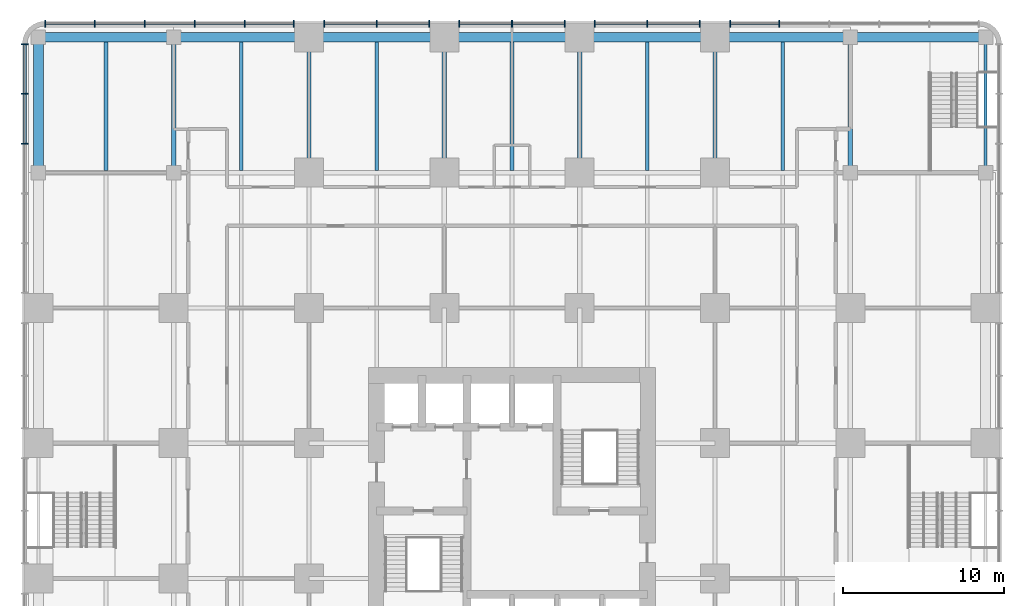
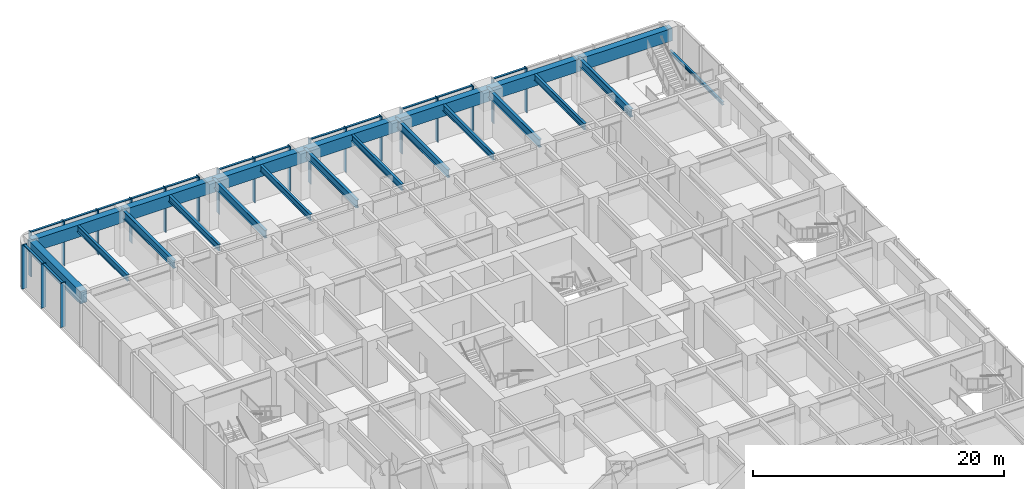
# One storey, part 7 of 20: 34 members, 21 beams, 2 elements without a shape of their own.
"""IFC4 building model written with IfcOpenShell, lengths in metres."""

from ifc_helpers import new_model, si_unit, direction, frame, origin, origin_2d, place, context, subcontext, project, spatial, rectangle, i_section, extrude, material, material_profile, profile_set, type_object, element, aggregate, save


model = new_model("IFC4")

# Units and contexts
model_context = context("Model", 3, precision=1e-05, world=origin(), true_north=direction((0.0, 1.0)))
body_context = subcontext(model_context, "Body", "Model", "MODEL_VIEW")
ifc_project = project(units=[si_unit("LENGTHUNIT", "METRE"), si_unit("AREAUNIT", "SQUARE_METRE"), si_unit("VOLUMEUNIT", "CUBIC_METRE"), si_unit("PLANEANGLEUNIT", "RADIAN"), si_unit("MASSUNIT", "GRAM", prefix="KILO")], contexts=[model_context])

# Site, building, storey
site_placement = place(None, origin())
site = spatial("IfcSite", under=ifc_project, at=site_placement, CompositionType="ELEMENT")
building_placement = place(site_placement, origin())
building = spatial("IfcBuilding", under=site, at=building_placement, Name="Torre Alcanfor", CompositionType="ELEMENT")
storey_placement = place(building_placement, frame((0.0, 0.0, 10.5)))
storey = spatial("IfcBuildingStorey", under=building, at=storey_placement, Name="L02", CompositionType="ELEMENT", Elevation=10.5)

# Curtain wall, members
ifc_material_1 = material(Name="Aluminium and glass", Category="aluminium")
curtain_wall_type = type_object("IfcCurtainWallType", Name="CW-B unitised classroom glazing with vertical FIN", PredefinedType="NOTDEFINED", material=ifc_material_1)
curtain_wall_1_placement = place(storey_placement, origin())
curtain_wall_1 = element("IfcCurtainWall", 1, at=curtain_wall_1_placement, inside=storey, type_object=curtain_wall_type, Name="Curtain wall CW-B L02 2", PredefinedType="NOTDEFINED")
ifc_material_2 = material(Name="Bronze anodised aluminium", Category="aluminium")
ifc_material_profile_1 = material_profile(ifc_material_2, rectangle(XDim=0.449951171875, YDim=0.06494140625, at=origin_2d()), Name="CW-B mullion 65x450")
ifc_profile_set_1 = profile_set([ifc_material_profile_1], Name="Bronze anodised aluminium")
member_type_1 = type_object("IfcMemberType", Name="CW-B mullion with vertical FIN 65x450", PredefinedType="MULLION", material=ifc_profile_set_1)
member_1_placement = place(storey_placement, frame((46.00390625, 59.64990234375, 0.0), z_axis=(0.0, 0.0, 1.0), x_axis=(0.0, -1.0, 0.0)))
member_1 = element("IfcMember", 2, at=member_1_placement, type_object=member_type_1, Name="CW-B mullion 1.5", PredefinedType="MULLION", context=body_context, shape_type="SweptSolid", body=[
    extrude(rectangle(XDim=0.449951171875, YDim=0.06494140625, at=origin_2d()), origin(), (0.0, 0.0, 1.0), 4.300048828125),
])
member_2_placement = place(storey_placement, frame((42.9375, 59.64990234375, 0.0), z_axis=(0.0, 0.0, 1.0), x_axis=(0.0, -1.0, 0.0)))
member_2 = element("IfcMember", 3, at=member_2_placement, type_object=member_type_1, Name="CW-B mullion 1.6", PredefinedType="MULLION", context=body_context, shape_type="SweptSolid", body=[
    extrude(rectangle(XDim=0.449951171875, YDim=0.06494140625, at=origin_2d()), origin(), (0.0, 0.0, 1.0), 4.300048828125),
])
member_3_placement = place(storey_placement, frame((41.0625, 59.64990234375, 0.0), z_axis=(0.0, 0.0, 1.0), x_axis=(0.0, -1.0, 0.0)))
member_3 = element("IfcMember", 4, at=member_3_placement, type_object=member_type_1, Name="CW-B mullion 2.1", PredefinedType="MULLION", context=body_context, shape_type="SweptSolid", body=[
    extrude(rectangle(XDim=0.449951171875, YDim=0.06494140625, at=origin_2d()), origin(), (0.0, 0.0, 1.0), 4.300048828125),
])
member_4_placement = place(storey_placement, frame((37.800048828125, 59.64990234375, 0.0), z_axis=(0.0, 0.0, 1.0), x_axis=(0.0, -1.0, 0.0)))
member_4 = element("IfcMember", 5, at=member_4_placement, type_object=member_type_1, Name="CW-B mullion 2.2", PredefinedType="MULLION", context=body_context, shape_type="SweptSolid", body=[
    extrude(rectangle(XDim=0.449951171875, YDim=0.06494140625, at=origin_2d()), origin(), (0.0, 0.0, 1.0), 4.300048828125),
])
member_5_placement = place(storey_placement, frame((34.53759765625, 59.64990234375, 0.0), z_axis=(0.0, 0.0, 1.0), x_axis=(0.0, -1.0, 0.0)))
member_5 = element("IfcMember", 6, at=member_5_placement, type_object=member_type_1, Name="CW-B mullion 2.3", PredefinedType="MULLION", context=body_context, shape_type="SweptSolid", body=[
    extrude(rectangle(XDim=0.449951171875, YDim=0.06494140625, at=origin_2d()), origin(), (0.0, 0.0, 1.0), 4.300048828125),
])
member_6_placement = place(storey_placement, frame((32.66259765625, 59.64990234375, 0.0), z_axis=(0.0, 0.0, 1.0), x_axis=(0.0, -1.0, 0.0)))
member_6 = element("IfcMember", 7, at=member_6_placement, type_object=member_type_1, Name="CW-B mullion 3.1", PredefinedType="MULLION", context=body_context, shape_type="SweptSolid", body=[
    extrude(rectangle(XDim=0.449951171875, YDim=0.06494140625, at=origin_2d()), origin(), (0.0, 0.0, 1.0), 4.300048828125),
])
member_7_placement = place(storey_placement, frame((29.39990234375, 59.64990234375, 0.0), z_axis=(0.0, 0.0, 1.0), x_axis=(0.0, -1.0, 0.0)))
member_7 = element("IfcMember", 8, at=member_7_placement, type_object=member_type_1, Name="CW-B mullion 3.2", PredefinedType="MULLION", context=body_context, shape_type="SweptSolid", body=[
    extrude(rectangle(XDim=0.449951171875, YDim=0.06494140625, at=origin_2d()), origin(), (0.0, 0.0, 1.0), 4.300048828125),
])
member_8_placement = place(storey_placement, frame((26.137451171875, 59.64990234375, 0.0), z_axis=(0.0, 0.0, 1.0), x_axis=(0.0, -1.0, 0.0)))
member_8 = element("IfcMember", 9, at=member_8_placement, type_object=member_type_1, Name="CW-B mullion 3.3", PredefinedType="MULLION", context=body_context, shape_type="SweptSolid", body=[
    extrude(rectangle(XDim=0.449951171875, YDim=0.06494140625, at=origin_2d()), origin(), (0.0, 0.0, 1.0), 4.300048828125),
])
member_9_placement = place(storey_placement, frame((24.262451171875, 59.64990234375, 0.0), z_axis=(0.0, 0.0, 1.0), x_axis=(0.0, -1.0, 0.0)))
member_9 = element("IfcMember", 10, at=member_9_placement, type_object=member_type_1, Name="CW-B mullion 4.1", PredefinedType="MULLION", context=body_context, shape_type="SweptSolid", body=[
    extrude(rectangle(XDim=0.449951171875, YDim=0.06494140625, at=origin_2d()), origin(), (0.0, 0.0, 1.0), 4.300048828125),
])
member_10_placement = place(storey_placement, frame((21.0, 59.64990234375, 0.0), z_axis=(0.0, 0.0, 1.0), x_axis=(0.0, -1.0, 0.0)))
member_10 = element("IfcMember", 11, at=member_10_placement, type_object=member_type_1, Name="CW-B mullion 4.2", PredefinedType="MULLION", context=body_context, shape_type="SweptSolid", body=[
    extrude(rectangle(XDim=0.449951171875, YDim=0.06494140625, at=origin_2d()), origin(), (0.0, 0.0, 1.0), 4.300048828125),
])
member_11_placement = place(storey_placement, frame((17.737548828125, 59.64990234375, 0.0), z_axis=(0.0, 0.0, 1.0), x_axis=(0.0, -1.0, 0.0)))
member_11 = element("IfcMember", 12, at=member_11_placement, type_object=member_type_1, Name="CW-B mullion 4.3", PredefinedType="MULLION", context=body_context, shape_type="SweptSolid", body=[
    extrude(rectangle(XDim=0.449951171875, YDim=0.06494140625, at=origin_2d()), origin(), (0.0, 0.0, 1.0), 4.300048828125),
])
member_12_placement = place(storey_placement, frame((15.862548828125, 59.64990234375, 0.0), z_axis=(0.0, 0.0, 1.0), x_axis=(0.0, -1.0, 0.0)))
member_12 = element("IfcMember", 13, at=member_12_placement, type_object=member_type_1, Name="CW-B mullion 5.1", PredefinedType="MULLION", context=body_context, shape_type="SweptSolid", body=[
    extrude(rectangle(XDim=0.449951171875, YDim=0.06494140625, at=origin_2d()), origin(), (0.0, 0.0, 1.0), 4.300048828125),
])
member_13_placement = place(storey_placement, frame((12.7958984375, 59.64990234375, 0.0), z_axis=(0.0, 0.0, 1.0), x_axis=(0.0, -1.0, 0.0)))
member_13 = element("IfcMember", 14, at=member_13_placement, type_object=member_type_1, Name="CW-B mullion 5.2", PredefinedType="MULLION", context=body_context, shape_type="SweptSolid", body=[
    extrude(rectangle(XDim=0.449951171875, YDim=0.06494140625, at=origin_2d()), origin(), (0.0, 0.0, 1.0), 4.300048828125),
])
member_14_placement = place(storey_placement, frame((9.697021484375, 59.64990234375, 0.0), z_axis=(0.0, 0.0, 1.0), x_axis=(0.0, -1.0, 0.0)))
member_14 = element("IfcMember", 15, at=member_14_placement, type_object=member_type_1, Name="CW-B mullion 5.3", PredefinedType="MULLION", context=body_context, shape_type="SweptSolid", body=[
    extrude(rectangle(XDim=0.449951171875, YDim=0.06494140625, at=origin_2d()), origin(), (0.0, 0.0, 1.0), 4.300048828125),
])
member_15_placement = place(storey_placement, frame((6.597900390625, 59.64990234375, 0.0), z_axis=(0.0, 0.0, 1.0), x_axis=(0.0, -1.0, 0.0)))
member_15 = element("IfcMember", 16, at=member_15_placement, type_object=member_type_1, Name="CW-B mullion 5.4", PredefinedType="MULLION", context=body_context, shape_type="SweptSolid", body=[
    extrude(rectangle(XDim=0.449951171875, YDim=0.06494140625, at=origin_2d()), origin(), (0.0, 0.0, 1.0), 4.300048828125),
])
member_16_placement = place(storey_placement, frame((3.4990234375, 59.64990234375, 0.0), z_axis=(0.0, 0.0, 1.0), x_axis=(0.0, -1.0, 0.0)))
member_16 = element("IfcMember", 17, at=member_16_placement, type_object=member_type_1, Name="CW-B mullion 5.5", PredefinedType="MULLION", context=body_context, shape_type="SweptSolid", body=[
    extrude(rectangle(XDim=0.449951171875, YDim=0.06494140625, at=origin_2d()), origin(), (0.0, 0.0, 1.0), 4.300048828125),
])
member_17_placement = place(storey_placement, frame((0.4326171875, 59.64990234375, 0.0), z_axis=(0.0, 0.0, 1.0), x_axis=(0.0, -1.0, 0.0)))
member_17 = element("IfcMember", 18, at=member_17_placement, type_object=member_type_1, Name="CW-B mullion 5.6", PredefinedType="MULLION", context=body_context, shape_type="SweptSolid", body=[
    extrude(rectangle(XDim=0.449951171875, YDim=0.06494140625, at=origin_2d()), origin(), (0.0, 0.0, 1.0), 4.300048828125),
])

curtain_wall_2_placement = place(storey_placement, origin())
curtain_wall_2 = element("IfcCurtainWall", 19, at=curtain_wall_2_placement, inside=storey, type_object=curtain_wall_type, Name="Curtain wall CW-B L02 3", PredefinedType="NOTDEFINED")
member_18_placement = place(storey_placement, frame((-0.85009765625, 58.367431640625, 0.0), z_axis=(0.0, 0.0, 1.0), x_axis=(1.0, 0.0, 0.0)))
member_18 = element("IfcMember", 20, at=member_18_placement, type_object=member_type_1, Name="CW-B mullion 1.1", PredefinedType="MULLION", context=body_context, shape_type="SweptSolid", body=[
    extrude(rectangle(XDim=0.449951171875, YDim=0.06494140625, at=origin_2d()), origin(), (0.0, 0.0, 1.0), 4.300048828125),
])
member_19_placement = place(storey_placement, frame((-0.85009765625, 55.301025390625, 0.0), z_axis=(0.0, 0.0, 1.0), x_axis=(1.0, 0.0, 0.0)))
member_19 = element("IfcMember", 21, at=member_19_placement, type_object=member_type_1, Name="CW-B mullion 1.2", PredefinedType="MULLION", context=body_context, shape_type="SweptSolid", body=[
    extrude(rectangle(XDim=0.449951171875, YDim=0.06494140625, at=origin_2d()), origin(), (0.0, 0.0, 1.0), 4.300048828125),
])
member_20_placement = place(storey_placement, frame((-0.85009765625, 52.201904296875, 0.0), z_axis=(0.0, 0.0, 1.0), x_axis=(1.0, 0.0, 0.0)))
member_20 = element("IfcMember", 22, at=member_20_placement, type_object=member_type_1, Name="CW-B mullion 1.3", PredefinedType="MULLION", context=body_context, shape_type="SweptSolid", body=[
    extrude(rectangle(XDim=0.449951171875, YDim=0.06494140625, at=origin_2d()), origin(), (0.0, 0.0, 1.0), 4.300048828125),
])

# Member
ifc_material_3 = material(Name="Extruded aluminium", Category="aluminium")
ifc_material_profile_2 = material_profile(ifc_material_3, rectangle(XDim=0.199951171875, YDim=0.06494140625, at=origin_2d()), Name="CW-B transom 200x65")
ifc_profile_set_2 = profile_set([ifc_material_profile_2], Name="Extruded aluminium")
member_type_2 = type_object("IfcMemberType", Name="CW-B transom 65x200", PredefinedType="USERDEFINED", material=ifc_profile_set_2)
member_21_placement = place(storey_placement, frame((45.971435546875, 59.64990234375, 4.267578125), z_axis=(-1.0, 0.0, 0.0), x_axis=(0.0, -1.0, 0.0)))
member_21 = element("IfcMember", 23, at=member_21_placement, type_object=member_type_2, Name="CW-B transom 1.5.2", ObjectType="TRANSOM", PredefinedType="USERDEFINED", context=body_context, shape_type="SweptSolid", body=[
    extrude(rectangle(XDim=0.199951171875, YDim=0.06494140625, at=origin_2d()), origin(), (0.0, 0.0, 1.0), 3.00146484375),
])

member_22_placement = place(storey_placement, frame((41.030029296875, 59.64990234375, 4.267578125), z_axis=(-1.0, 0.0, 0.0), x_axis=(0.0, -1.0, 0.0)))
member_22 = element("IfcMember", 24, at=member_22_placement, type_object=member_type_2, Name="CW-B transom 2.1.2", ObjectType="TRANSOM", PredefinedType="USERDEFINED", context=body_context, shape_type="SweptSolid", body=[
    extrude(rectangle(XDim=0.199951171875, YDim=0.06494140625, at=origin_2d()), origin(), (0.0, 0.0, 1.0), 3.197509765625),
])

member_23_placement = place(storey_placement, frame((37.767578125, 59.64990234375, 4.267578125), z_axis=(-1.0, 0.0, 0.0), x_axis=(0.0, -1.0, 0.0)))
member_23 = element("IfcMember", 25, at=member_23_placement, type_object=member_type_2, Name="CW-B transom 2.2.2", ObjectType="TRANSOM", PredefinedType="USERDEFINED", context=body_context, shape_type="SweptSolid", body=[
    extrude(rectangle(XDim=0.199951171875, YDim=0.06494140625, at=origin_2d()), origin(), (0.0, 0.0, 1.0), 3.197509765625),
])

member_24_placement = place(storey_placement, frame((32.6298828125, 59.64990234375, 4.267578125), z_axis=(-1.0, 0.0, 0.0), x_axis=(0.0, -1.0, 0.0)))
member_24 = element("IfcMember", 26, at=member_24_placement, type_object=member_type_2, Name="CW-B transom 3.1.2", ObjectType="TRANSOM", PredefinedType="USERDEFINED", context=body_context, shape_type="SweptSolid", body=[
    extrude(rectangle(XDim=0.199951171875, YDim=0.06494140625, at=origin_2d()), origin(), (0.0, 0.0, 1.0), 3.197265625),
])

member_25_placement = place(storey_placement, frame((29.367431640625, 59.64990234375, 4.267578125), z_axis=(-1.0, 0.0, 0.0), x_axis=(0.0, -1.0, 0.0)))
member_25 = element("IfcMember", 27, at=member_25_placement, type_object=member_type_2, Name="CW-B transom 3.2.2", ObjectType="TRANSOM", PredefinedType="USERDEFINED", context=body_context, shape_type="SweptSolid", body=[
    extrude(rectangle(XDim=0.199951171875, YDim=0.06494140625, at=origin_2d()), origin(), (0.0, 0.0, 1.0), 3.197509765625),
])

member_26_placement = place(storey_placement, frame((24.22998046875, 59.64990234375, 4.267578125), z_axis=(-1.0, 0.0, 0.0), x_axis=(0.0, -1.0, 0.0)))
member_26 = element("IfcMember", 28, at=member_26_placement, type_object=member_type_2, Name="CW-B transom 4.1.2", ObjectType="TRANSOM", PredefinedType="USERDEFINED", context=body_context, shape_type="SweptSolid", body=[
    extrude(rectangle(XDim=0.199951171875, YDim=0.06494140625, at=origin_2d()), origin(), (0.0, 0.0, 1.0), 3.197509765625),
])

member_27_placement = place(storey_placement, frame((20.967529296875, 59.64990234375, 4.267578125), z_axis=(-1.0, 0.0, 0.0), x_axis=(0.0, -1.0, 0.0)))
member_27 = element("IfcMember", 29, at=member_27_placement, type_object=member_type_2, Name="CW-B transom 4.2.2", ObjectType="TRANSOM", PredefinedType="USERDEFINED", context=body_context, shape_type="SweptSolid", body=[
    extrude(rectangle(XDim=0.199951171875, YDim=0.06494140625, at=origin_2d()), origin(), (0.0, 0.0, 1.0), 3.197509765625),
])

member_28_placement = place(storey_placement, frame((15.830078125, 59.64990234375, 4.267578125), z_axis=(-1.0, 0.0, 0.0), x_axis=(0.0, -1.0, 0.0)))
member_28 = element("IfcMember", 30, at=member_28_placement, type_object=member_type_2, Name="CW-B transom 5.1.2", ObjectType="TRANSOM", PredefinedType="USERDEFINED", context=body_context, shape_type="SweptSolid", body=[
    extrude(rectangle(XDim=0.199951171875, YDim=0.06494140625, at=origin_2d()), origin(), (0.0, 0.0, 1.0), 3.00146484375),
])

member_29_placement = place(storey_placement, frame((12.763427734375, 59.64990234375, 4.267578125), z_axis=(-1.0, 0.0, 0.0), x_axis=(0.0, -1.0, 0.0)))
member_29 = element("IfcMember", 31, at=member_29_placement, type_object=member_type_2, Name="CW-B transom 5.2.2", ObjectType="TRANSOM", PredefinedType="USERDEFINED", context=body_context, shape_type="SweptSolid", body=[
    extrude(rectangle(XDim=0.199951171875, YDim=0.06494140625, at=origin_2d()), origin(), (0.0, 0.0, 1.0), 3.033935546875),
])

member_30_placement = place(storey_placement, frame((9.66455078125, 59.64990234375, 4.267578125), z_axis=(-1.0, 0.0, 0.0), x_axis=(0.0, -1.0, 0.0)))
member_30 = element("IfcMember", 32, at=member_30_placement, type_object=member_type_2, Name="CW-B transom 5.3.2", ObjectType="TRANSOM", PredefinedType="USERDEFINED", context=body_context, shape_type="SweptSolid", body=[
    extrude(rectangle(XDim=0.199951171875, YDim=0.06494140625, at=origin_2d()), origin(), (0.0, 0.0, 1.0), 3.033935546875),
])

member_31_placement = place(storey_placement, frame((6.5654296875, 59.64990234375, 4.267578125), z_axis=(-1.0, 0.0, 0.0), x_axis=(0.0, -1.0, 0.0)))
member_31 = element("IfcMember", 33, at=member_31_placement, type_object=member_type_2, Name="CW-B transom 5.4.2", ObjectType="TRANSOM", PredefinedType="USERDEFINED", context=body_context, shape_type="SweptSolid", body=[
    extrude(rectangle(XDim=0.199951171875, YDim=0.06494140625, at=origin_2d()), origin(), (0.0, 0.0, 1.0), 3.033935546875),
])

member_32_placement = place(storey_placement, frame((3.466552734375, 59.64990234375, 4.267578125), z_axis=(-1.0, 0.0, 0.0), x_axis=(0.0, -1.0, 0.0)))
member_32 = element("IfcMember", 34, at=member_32_placement, type_object=member_type_2, Name="CW-B transom 5.5.2", ObjectType="TRANSOM", PredefinedType="USERDEFINED", context=body_context, shape_type="SweptSolid", body=[
    extrude(rectangle(XDim=0.199951171875, YDim=0.06494140625, at=origin_2d()), origin(), (0.0, 0.0, 1.0), 3.00146484375),
])

aggregate(curtain_wall_1, [member_1, member_2, member_21, member_3, member_4, member_5, member_22, member_23, member_6, member_7, member_8, member_24, member_25, member_9, member_10, member_11, member_26, member_27, member_12, member_13, member_14, member_15, member_16, member_17, member_28, member_29, member_30, member_31, member_32])

member_33_placement = place(storey_placement, frame((-0.85009765625, 58.3349609375, 4.267578125), z_axis=(0.0, -1.0, 0.0), x_axis=(1.0, 0.0, 0.0)))
member_33 = element("IfcMember", 35, at=member_33_placement, type_object=member_type_2, Name="CW-B transom 1.1.2", ObjectType="TRANSOM", PredefinedType="USERDEFINED", context=body_context, shape_type="SweptSolid", body=[
    extrude(rectangle(XDim=0.199951171875, YDim=0.06494140625, at=origin_2d()), origin(), (0.0, 0.0, 1.0), 3.00146484375),
])

member_34_placement = place(storey_placement, frame((-0.85009765625, 55.2685546875, 4.267578125), z_axis=(0.0, -1.0, 0.0), x_axis=(1.0, 0.0, 0.0)))
member_34 = element("IfcMember", 36, at=member_34_placement, type_object=member_type_2, Name="CW-B transom 1.2.2", ObjectType="TRANSOM", PredefinedType="USERDEFINED", context=body_context, shape_type="SweptSolid", body=[
    extrude(rectangle(XDim=0.199951171875, YDim=0.06494140625, at=origin_2d()), origin(), (0.0, 0.0, 1.0), 3.033935546875),
])

aggregate(curtain_wall_2, [member_18, member_19, member_20, member_33, member_34])

# Beams
ifc_material_4 = material(Name="Steel ASTM A992 Grade 50", Category="steel")
ifc_material_profile_3 = material_profile(ifc_material_4, i_section(OverallWidth=0.2666015625, OverallDepth=0.7568359375, WebThickness=0.013916015625, FlangeThickness=0.019287109375, at=origin_2d()), Name="W30x108")
ifc_profile_set_3 = profile_set([ifc_material_profile_3], Name="Steel ASTM A992 Grade 50")
beam_type_1 = type_object("IfcBeamType", Name="Girder W30x108", PredefinedType="BEAM", material=ifc_profile_set_3)
for number, where, z_axis, x_axis, name in (
    (37, (8.39990234375, 50.39990234375, 3.921630859375), (0.0, 1.0, 0.0), (-1.0, 0.0, 0.0), "Beam 2J-2K under L03"),
    (38, (16.800048828125, 50.39990234375, 3.921630859375), (0.0, 1.0, 0.0), (-1.0, 0.0, 0.0), "Beam 3J-3K under L03"),
    (39, (25.199951171875, 50.39990234375, 3.921630859375), (0.0, 1.0, 0.0), (-1.0, 0.0, 0.0), "Beam 4J-4K under L03"),
    (40, (33.60009765625, 50.39990234375, 3.921630859375), (0.0, 1.0, 0.0), (-1.0, 0.0, 0.0), "Beam 5J-5K under L03"),
    (41, (42.0, 50.39990234375, 3.921630859375), (0.0, 1.0, 0.0), (-1.0, 0.0, 0.0), "Beam 6J-6K under L03"),
    (42, (50.39990234375, 50.39990234375, 3.921630859375), (0.0, 1.0, 0.0), (-1.0, 0.0, 0.0), "Beam 7J-7K under L03"),
):
    element("IfcBeam", number, at=place(storey_placement, frame(where, z_axis=z_axis, x_axis=x_axis)), inside=storey, type_object=beam_type_1, Name=name, PredefinedType="BEAM", context=body_context, shape_type="SweptSolid", body=[
        extrude(i_section(OverallWidth=0.2666015625, OverallDepth=0.7568359375, WebThickness=0.013916015625, FlangeThickness=0.019287109375, at=origin_2d()), origin(), (0.0, 0.0, 1.0), 8.400146484375),
    ])
ifc_material_5 = material(Name="Concrete f'c 70 MPa", Category="concrete")
ifc_material_profile_4 = material_profile(ifc_material_5, rectangle(XDim=0.60009765625, YDim=1.199951171875, at=origin_2d()), Name="600x1200")
ifc_profile_set_4 = profile_set([ifc_material_profile_4], Name="Concrete f'c 70 MPa")
beam_type_2 = type_object("IfcBeamType", Name="RC perimeter beam 600x1200", PredefinedType="BEAM", material=ifc_profile_set_4)
beam_1_placement = place(storey_placement, frame((0.0, 58.800048828125, 3.699951171875), z_axis=(1.0, 0.0, 0.0), x_axis=(0.0, 1.0, 0.0)))
element("IfcBeam", 43, at=beam_1_placement, inside=storey, type_object=beam_type_2, Name="Beam 1K-2K under L03", PredefinedType="BEAM", context=body_context, shape_type="SweptSolid", body=[
    extrude(rectangle(XDim=0.60009765625, YDim=1.199951171875, at=origin_2d()), origin(), (0.0, 0.0, 1.0), 8.39990234375),
])
beam_2_placement = place(storey_placement, frame((8.39990234375, 58.800048828125, 3.699951171875), z_axis=(1.0, 0.0, 0.0), x_axis=(0.0, 1.0, 0.0)))
element("IfcBeam", 44, at=beam_2_placement, inside=storey, type_object=beam_type_2, Name="Beam 2K-3K under L03", PredefinedType="BEAM", context=body_context, shape_type="SweptSolid", body=[
    extrude(rectangle(XDim=0.60009765625, YDim=1.199951171875, at=origin_2d()), origin(), (0.0, 0.0, 1.0), 8.400146484375),
])
beam_3_placement = place(storey_placement, frame((16.800048828125, 58.800048828125, 3.699951171875), z_axis=(1.0, 0.0, 0.0), x_axis=(0.0, 1.0, 0.0)))
element("IfcBeam", 45, at=beam_3_placement, inside=storey, type_object=beam_type_2, Name="Beam 3K-4K under L03", PredefinedType="BEAM", context=body_context, shape_type="SweptSolid", body=[
    extrude(rectangle(XDim=0.60009765625, YDim=1.199951171875, at=origin_2d()), origin(), (0.0, 0.0, 1.0), 8.39990234375),
])
beam_4_placement = place(storey_placement, frame((25.199951171875, 58.800048828125, 3.699951171875), z_axis=(1.0, 0.0, 0.0), x_axis=(0.0, 1.0, 0.0)))
element("IfcBeam", 46, at=beam_4_placement, inside=storey, type_object=beam_type_2, Name="Beam 4K-5K under L03", PredefinedType="BEAM", context=body_context, shape_type="SweptSolid", body=[
    extrude(rectangle(XDim=0.60009765625, YDim=1.199951171875, at=origin_2d()), origin(), (0.0, 0.0, 1.0), 8.400146484375),
])
for number, where, z_axis, x_axis, name in (
    (47, (33.60009765625, 58.800048828125, 3.699951171875), (1.0, 0.0, 0.0), (0.0, 1.0, 0.0), "Beam 5K-6K under L03"),
    (48, (42.0, 58.800048828125, 3.699951171875), (1.0, 0.0, 0.0), (0.0, 1.0, 0.0), "Beam 6K-7K under L03"),
):
    element("IfcBeam", number, at=place(storey_placement, frame(where, z_axis=z_axis, x_axis=x_axis)), inside=storey, type_object=beam_type_2, Name=name, PredefinedType="BEAM", context=body_context, shape_type="SweptSolid", body=[
        extrude(rectangle(XDim=0.60009765625, YDim=1.199951171875, at=origin_2d()), origin(), (0.0, 0.0, 1.0), 8.39990234375),
    ])
for number, where, z_axis, x_axis, name in (
    (49, (50.39990234375, 58.800048828125, 3.699951171875), (1.0, 0.0, 0.0), (0.0, 1.0, 0.0), "Beam 7K-8K under L03"),
    (50, (0.0, 50.39990234375, 3.699951171875), (0.0, 1.0, 0.0), (-1.0, 0.0, 0.0), "Beam 1J-1K under L03"),
):
    element("IfcBeam", number, at=place(storey_placement, frame(where, z_axis=z_axis, x_axis=x_axis)), inside=storey, type_object=beam_type_2, Name=name, PredefinedType="BEAM", context=body_context, shape_type="SweptSolid", body=[
        extrude(rectangle(XDim=0.60009765625, YDim=1.199951171875, at=origin_2d()), origin(), (0.0, 0.0, 1.0), 8.400146484375),
    ])
ifc_material_6 = material(Name="Steel ASTM A992 Grade 50", Category="steel")
ifc_material_profile_5 = material_profile(ifc_material_6, i_section(OverallWidth=0.203369140625, OverallDepth=0.30224609375, WebThickness=0.007568359375, FlangeThickness=0.01318359375, at=origin_2d()), Name="W12x40")
ifc_profile_set_5 = profile_set([ifc_material_profile_5], Name="Steel ASTM A992 Grade 50")
beam_type_3 = type_object("IfcBeamType", Name="School stair landing beam W12x40", PredefinedType="BEAM", material=ifc_profile_set_5)
beam_5_placement = place(storey_placement, frame((58.800048828125, 50.39990234375, 1.89892578125), z_axis=(0.0, 1.0, 0.0), x_axis=(-1.0, 0.0, 0.0)))
element("IfcBeam", 51, at=beam_5_placement, inside=storey, type_object=beam_type_3, Name="Landing beam SS4 L02", PredefinedType="BEAM", context=body_context, shape_type="SweptSolid", body=[
    extrude(i_section(OverallWidth=0.203369140625, OverallDepth=0.30224609375, WebThickness=0.007568359375, FlangeThickness=0.01318359375, at=origin_2d()), origin(), (0.0, 0.0, 1.0), 8.400146484375),
])
ifc_material_7 = material(Name="Steel ASTM A992 Grade 50", Category="steel")
ifc_material_profile_6 = material_profile(ifc_material_7, i_section(OverallWidth=0.22900390625, OverallDepth=0.612060546875, WebThickness=0.011962890625, FlangeThickness=0.01953125, at=origin_2d()), Name="W24x84")
ifc_profile_set_6 = profile_set([ifc_material_profile_6], Name="Steel ASTM A992 Grade 50")
beam_type_4 = type_object("IfcBeamType", Name="Secondary beam W24x84", PredefinedType="BEAM", material=ifc_profile_set_6)
for number, where, z_axis, x_axis, name in (
    (52, (4.199951171875, 50.532958984375, 3.993896484375), (0.0, 1.0, 0.0), (-1.0, 0.0, 0.0), "Beam 4_2J-4_2K under L03"),
    (53, (12.60009765625, 50.532958984375, 3.993896484375), (0.0, 1.0, 0.0), (-1.0, 0.0, 0.0), "Beam 12_6J-12_6K under L03"),
    (54, (21.0, 50.532958984375, 3.993896484375), (0.0, 1.0, 0.0), (-1.0, 0.0, 0.0), "Beam 21J-21K under L03"),
    (55, (29.39990234375, 50.532958984375, 3.993896484375), (0.0, 1.0, 0.0), (-1.0, 0.0, 0.0), "Beam 29_4J-29_4K under L03"),
    (56, (37.800048828125, 50.532958984375, 3.993896484375), (0.0, 1.0, 0.0), (-1.0, 0.0, 0.0), "Beam 37_8J-37_8K under L03"),
    (57, (46.199951171875, 50.532958984375, 3.993896484375), (0.0, 1.0, 0.0), (-1.0, 0.0, 0.0), "Beam 46_2J-46_2K under L03"),
):
    element("IfcBeam", number, at=place(storey_placement, frame(where, z_axis=z_axis, x_axis=x_axis)), inside=storey, type_object=beam_type_4, Name=name, PredefinedType="BEAM", context=body_context, shape_type="SweptSolid", body=[
        extrude(i_section(OverallWidth=0.22900390625, OverallDepth=0.612060546875, WebThickness=0.011962890625, FlangeThickness=0.01953125, at=origin_2d()), origin(), (0.0, 0.0, 1.0), 7.967041015625),
    ])

save(model, "model.ifc")
